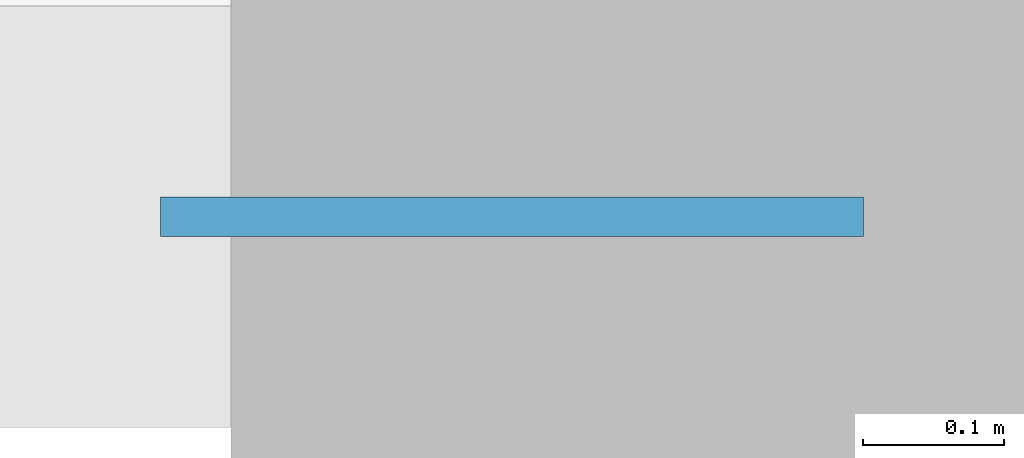
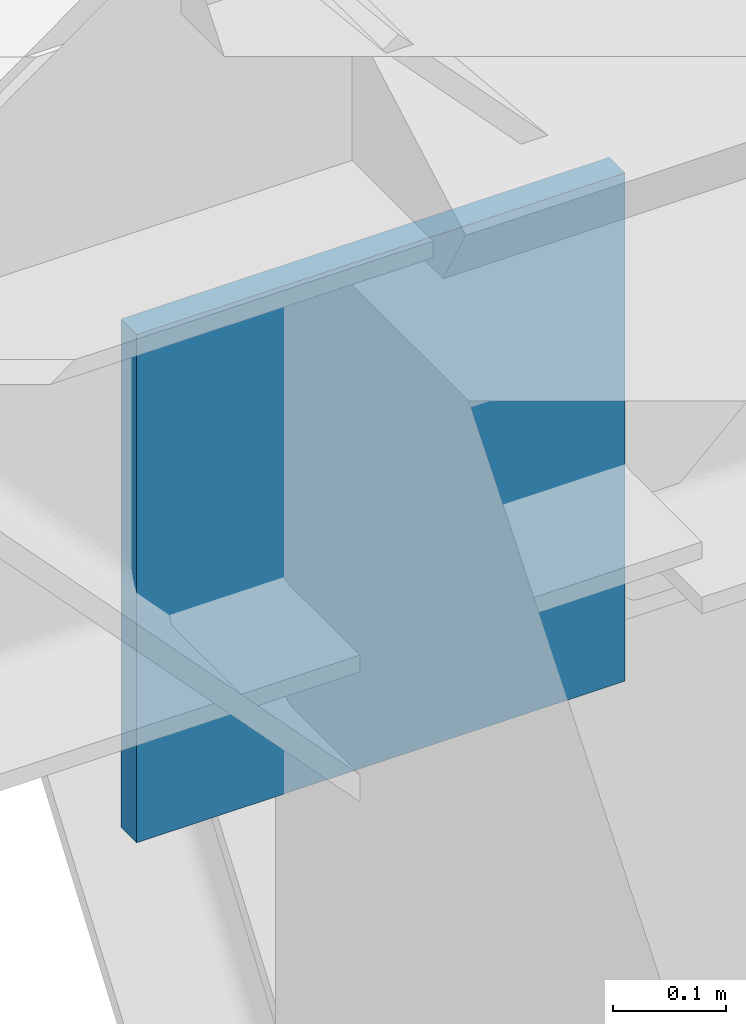
# One storey, part 76 of 86: 1 plate.
"""IFC4 building model written with IfcOpenShell, lengths in metres."""

from ifc_helpers import new_model, si_unit, direction, frame, origin, origin_2d, place, context, subcontext, project, spatial, rectangle, extrude, material, layer, layer_set, type_object, element, save


model = new_model("IFC4")

# Units and contexts
model_context = context("Model", 3, precision=1e-05, world=origin(), true_north=direction((0.0, 1.0)))
body_context = subcontext(model_context, "Body", "Model", "MODEL_VIEW")
ifc_project = project(units=[si_unit("LENGTHUNIT", "METRE"), si_unit("AREAUNIT", "SQUARE_METRE"), si_unit("VOLUMEUNIT", "CUBIC_METRE"), si_unit("PLANEANGLEUNIT", "RADIAN"), si_unit("MASSUNIT", "GRAM", prefix="KILO")], contexts=[model_context])

# Site, building, storey
site_placement = place(None, origin())
site = spatial("IfcSite", under=ifc_project, at=site_placement, CompositionType="ELEMENT")
building_placement = place(site_placement, origin())
building = spatial("IfcBuilding", under=site, at=building_placement, Name="Chuanluo Vaults Station", CompositionType="ELEMENT")
storey_placement = place(building_placement, frame((0.0, 0.0, 14.39990234375)))
storey = spatial("IfcBuildingStorey", under=building, at=storey_placement, Name="L03", CompositionType="ELEMENT", Elevation=14.39990234375)

# Plate
ifc_material = material(Name="Steel Q390C", Category="steel")
ifc_layer = layer(ifc_material, 0.028076171875)
ifc_layer_set = layer_set([ifc_layer], Name="Steel Q390C")
plate_type = type_object("IfcPlateType", Name="PLT-GUS-28", PredefinedType="USERDEFINED", material=ifc_layer_set)
plate_placement = place(storey_placement, frame((125.75, 103.5, -0.875), z_axis=(0.0, 0.0, 1.0), x_axis=(1.0, 0.0, 0.0)))
element("IfcPlate", 1, at=plate_placement, inside=storey, type_object=plate_type, Name="Vault V7 skewback node plate 9-E", ObjectType="GUSSET_PLATE", PredefinedType="USERDEFINED", context=body_context, shape_type="SweptSolid", body=[
    extrude(rectangle(XDim=0.5, YDim=0.028076171875, at=origin_2d()), origin(), (0.0, 0.0, 1.0), 0.550048828125),
])

save(model, "model.ifc")
